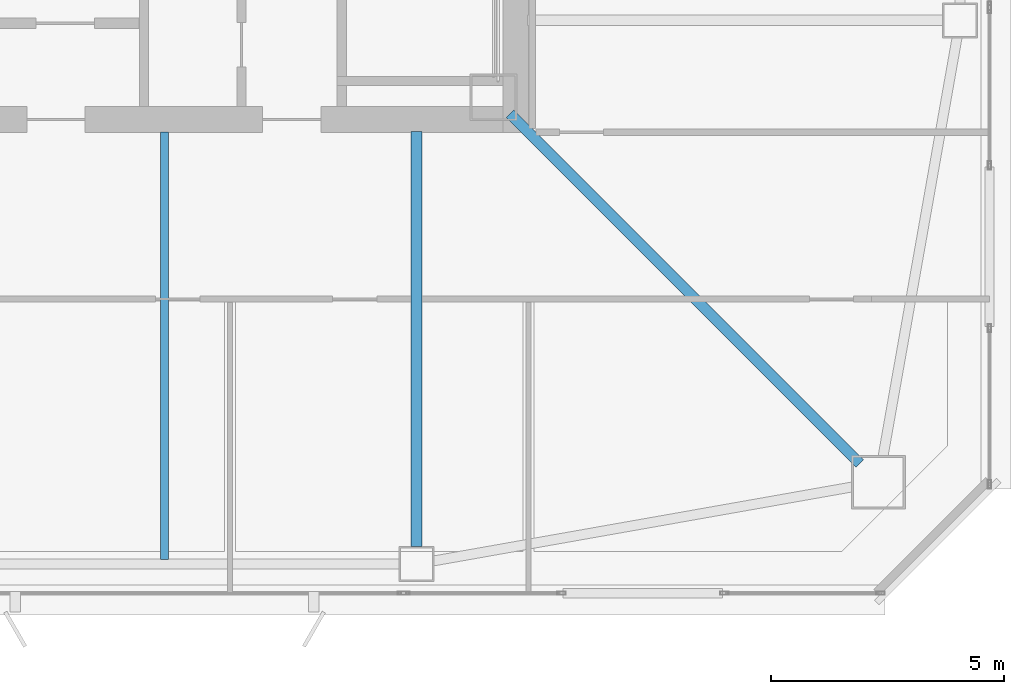
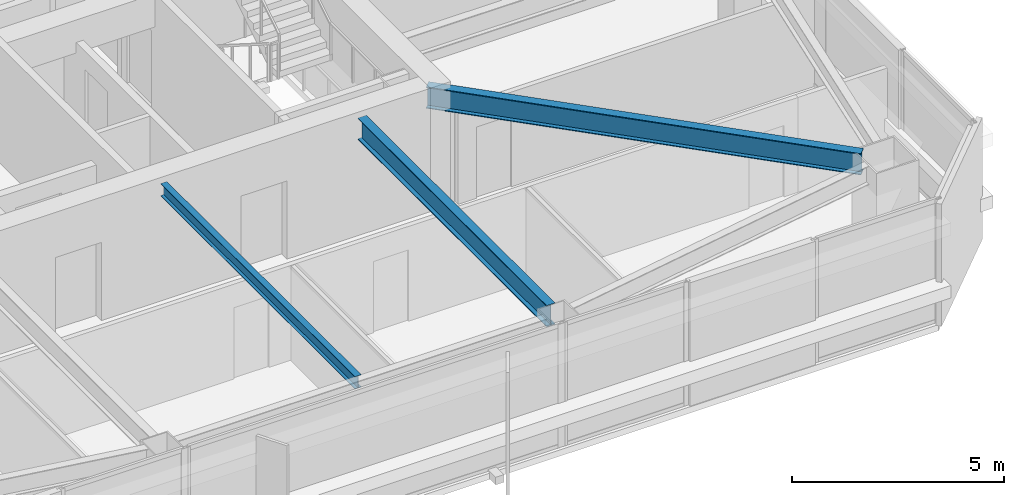
# One storey, part 7 of 46: 3 beams.
"""IFC4 building model written with IfcOpenShell, lengths in metres."""

from ifc_helpers import new_model, si_unit, direction, frame, origin, origin_2d, place, context, subcontext, project, spatial, i_section, extrude, material, material_profile, profile_set, type_object, element, save


model = new_model("IFC4")

# Units and contexts
model_context = context("Model", 3, precision=1e-05, world=origin(), true_north=direction((0.0, 1.0)))
body_context = subcontext(model_context, "Body", "Model", "MODEL_VIEW")
ifc_project = project(units=[si_unit("LENGTHUNIT", "METRE"), si_unit("AREAUNIT", "SQUARE_METRE"), si_unit("VOLUMEUNIT", "CUBIC_METRE"), si_unit("PLANEANGLEUNIT", "RADIAN"), si_unit("MASSUNIT", "GRAM", prefix="KILO")], contexts=[model_context])

# Site, building, storey
site_placement = place(None, origin())
site = spatial("IfcSite", under=ifc_project, at=site_placement, CompositionType="ELEMENT")
building_placement = place(site_placement, origin())
building = spatial("IfcBuilding", under=site, at=building_placement, Name="Tashvorn Skyway Center", CompositionType="ELEMENT")
storey_placement = place(building_placement, frame((0.0, 0.0, 167.64990234375)))
storey = spatial("IfcBuildingStorey", under=building, at=storey_placement, Name="L45", CompositionType="ELEMENT", Elevation=167.64990234375)

# Beams
ifc_material = material(Name="Steel ASTM A992 Grade 50", Category="steel")
ifc_material_profile_1 = material_profile(ifc_material, i_section(OverallWidth=0.22998046875, OverallDepth=0.616943359375, WebThickness=0.01318359375, FlangeThickness=0.022216796875, at=origin_2d()), Name="W24X94")
ifc_profile_set_1 = profile_set([ifc_material_profile_1], Name="Steel ASTM A992 Grade 50")
beam_type_1 = type_object("IfcBeamType", Name="BM-BEAM-W24X94", PredefinedType="BEAM", material=ifc_profile_set_1)
beam_1_placement = place(storey_placement, frame((56.89697265625, 17.10302734375, 3.0615234375), z_axis=(-0.707106781187, 0.707106781187, 0.0), x_axis=(-0.707106781187, -0.707106781187, 0.0)))
element("IfcBeam", 1, at=beam_1_placement, inside=storey, type_object=beam_type_1, Name="Tower 1 L45 Primary Floor Girder MC-SE", PredefinedType="BEAM", context=body_context, shape_type="SweptSolid", body=[
    extrude(i_section(OverallWidth=0.22998046875, OverallDepth=0.616943359375, WebThickness=0.01318359375, FlangeThickness=0.022216796875, at=origin_2d()), origin(), (0.0, 0.0, 1.0), 10.6025390625),
])
beam_2_placement = place(storey_placement, frame((47.39990234375, 15.320068359375, 3.0615234375), z_axis=(0.0, 1.0, 0.0), x_axis=(-1.0, 0.0, 0.0)))
element("IfcBeam", 2, at=beam_2_placement, inside=storey, type_object=beam_type_1, Name="Tower 1 L45 Primary Floor Girder FC-S2", PredefinedType="BEAM", context=body_context, shape_type="SweptSolid", body=[
    extrude(i_section(OverallWidth=0.22998046875, OverallDepth=0.616943359375, WebThickness=0.01318359375, FlangeThickness=0.022216796875, at=origin_2d()), origin(), (0.0, 0.0, 1.0), 8.89990234375),
])
ifc_material_profile_2 = material_profile(ifc_material, i_section(OverallWidth=0.1708984375, OverallDepth=0.35498046875, WebThickness=0.007080078125, FlangeThickness=0.01171875, at=origin_2d()), Name="W14X34")
ifc_profile_set_2 = profile_set([ifc_material_profile_2], Name="Steel ASTM A992 Grade 50")
beam_type_2 = type_object("IfcBeamType", Name="BM-JOIST-W14X34", PredefinedType="JOIST", material=ifc_profile_set_2)
beam_3_placement = place(storey_placement, frame((42.0, 24.2099609375, 3.192626953125), z_axis=(0.0, -1.0, 0.0), x_axis=(1.0, 0.0, 0.0)))
element("IfcBeam", 3, at=beam_3_placement, inside=storey, type_object=beam_type_2, Name="Tower 1 L45 Secondary Composite Joist JS", PredefinedType="JOIST", context=body_context, shape_type="SweptSolid", body=[
    extrude(i_section(OverallWidth=0.1708984375, OverallDepth=0.35498046875, WebThickness=0.007080078125, FlangeThickness=0.01171875, at=origin_2d()), origin(), (0.0, 0.0, 1.0), 9.162353515625),
])

save(model, "model.ifc")
